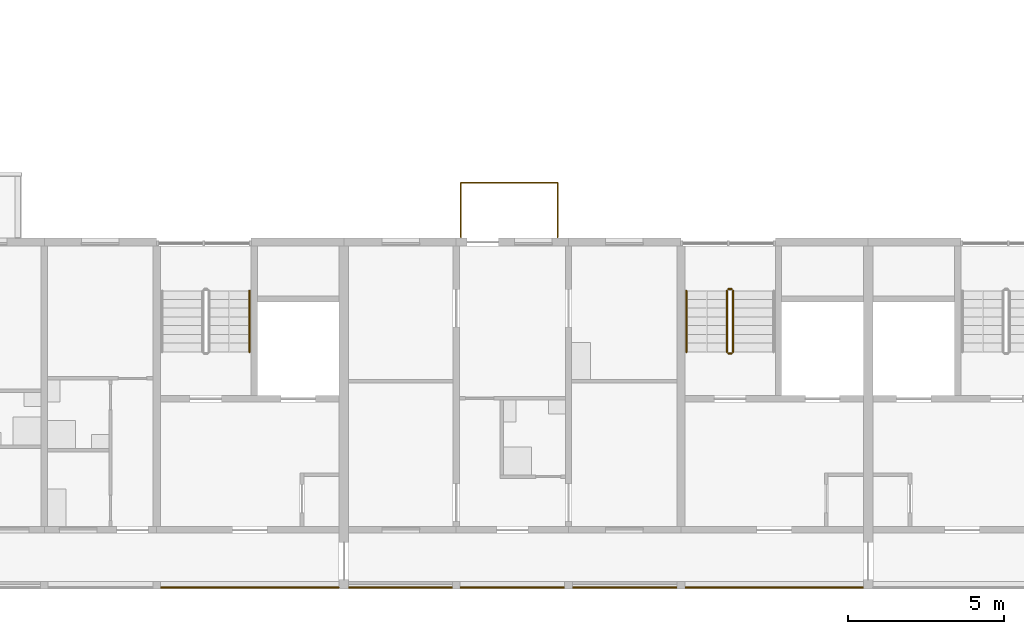
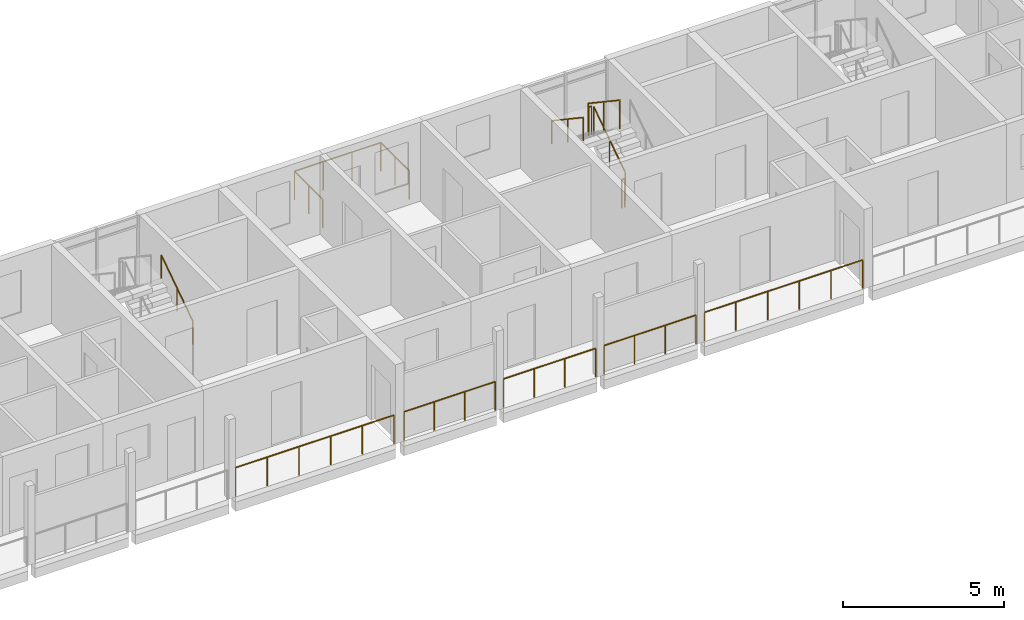
# One storey, part 79 of 94: 12 railings.
"""IFC4 building model written with IfcOpenShell, lengths in metres."""

from ifc_helpers import new_model, si_unit, direction, frame, origin, origin_2d, place, context, subcontext, project, spatial, circle, extrude, material, type_object, element, save


model = new_model("IFC4")

# Units and contexts
model_context = context("Model", 3, precision=1e-05, world=origin(), true_north=direction((0.0, 1.0)))
body_context = subcontext(model_context, "Body", "Model", "MODEL_VIEW")
ifc_project = project(units=[si_unit("LENGTHUNIT", "METRE"), si_unit("AREAUNIT", "SQUARE_METRE"), si_unit("VOLUMEUNIT", "CUBIC_METRE"), si_unit("PLANEANGLEUNIT", "RADIAN"), si_unit("MASSUNIT", "GRAM", prefix="KILO")], contexts=[model_context])

# Site, building, storey
site_placement = place(None, origin())
site = spatial("IfcSite", under=ifc_project, at=site_placement, CompositionType="ELEMENT")
building_placement = place(site_placement, origin())
building = spatial("IfcBuilding", under=site, at=building_placement, Name="Ridgestep Commons", CompositionType="ELEMENT")
storey_placement = place(building_placement, frame((0.0, 0.0, 24.0)))
storey = spatial("IfcBuildingStorey", under=building, at=storey_placement, Name="L08", CompositionType="ELEMENT", Elevation=24.0)

# Railings
ifc_material_1 = material(Name="Structural steel S355JR", Category="steel")
railing_type_1 = type_object("IfcRailingType", Name="Guard 1100", PredefinedType="GUARDRAIL", material=ifc_material_1)
railing_1_placement = place(storey_placement, frame((73.345947265625, 11.800048828125, 0.0)))
element("IfcRailing", 1, at=railing_1_placement, inside=storey, type_object=railing_type_1, Name="Gallery guard A 08.16", PredefinedType="GUARDRAIL", context=body_context, shape_type="SweptSolid", body=[
    extrude(circle(Radius=0.02392578125, at=origin_2d()), frame((0.0, 0.0, 1.076171875), z_axis=(1.0, 0.0, 0.0), x_axis=(0.0, 1.0, 0.0)), (0.0, 0.0, 1.0), 5.68310546875),
    extrude(circle(Radius=0.02099609375, at=origin_2d()), origin(), (0.0, 0.0, 1.0), 1.052001953125),
    extrude(circle(Radius=0.02099609375, at=origin_2d()), frame((1.13671875, 0.0, 0.0)), (0.0, 0.0, 1.0), 1.052001953125),
    extrude(circle(Radius=0.02099609375, at=origin_2d()), frame((2.273193359375, 0.0, 0.0)), (0.0, 0.0, 1.0), 1.052001953125),
    extrude(circle(Radius=0.02099609375, at=origin_2d()), frame((3.409912109375, 0.0, 0.0)), (0.0, 0.0, 1.0), 1.052001953125),
    extrude(circle(Radius=0.02099609375, at=origin_2d()), frame((4.54638671875, 0.0, 0.0)), (0.0, 0.0, 1.0), 1.052001953125),
    extrude(circle(Radius=0.02099609375, at=origin_2d()), frame((5.68310546875, 0.0, 0.0)), (0.0, 0.0, 1.0), 1.052001953125),
])
railing_2_placement = place(storey_placement, frame((79.37109375, 11.800048828125, 0.0)))
element("IfcRailing", 2, at=railing_2_placement, inside=storey, type_object=railing_type_1, Name="Gallery guard A 08.17", PredefinedType="GUARDRAIL", context=body_context, shape_type="SweptSolid", body=[
    extrude(circle(Radius=0.02392578125, at=origin_2d()), frame((0.0, 0.0, 1.076171875), z_axis=(1.0, 0.0, 0.0), x_axis=(0.0, 1.0, 0.0)), (0.0, 0.0, 1.0), 3.282958984375),
    extrude(circle(Radius=0.02099609375, at=origin_2d()), origin(), (0.0, 0.0, 1.0), 1.052001953125),
    extrude(circle(Radius=0.02099609375, at=origin_2d()), frame((1.09423828125, 0.0, 0.0)), (0.0, 0.0, 1.0), 1.052001953125),
    extrude(circle(Radius=0.02099609375, at=origin_2d()), frame((2.188720703125, 0.0, 0.0)), (0.0, 0.0, 1.0), 1.052001953125),
    extrude(circle(Radius=0.02099609375, at=origin_2d()), frame((3.282958984375, 0.0, 0.0)), (0.0, 0.0, 1.0), 1.052001953125),
])
railing_3_placement = place(storey_placement, frame((82.946044921875, 11.800048828125, 0.0)))
element("IfcRailing", 3, at=railing_3_placement, inside=storey, type_object=railing_type_1, Name="Gallery guard A 08.18", PredefinedType="GUARDRAIL", context=body_context, shape_type="SweptSolid", body=[
    extrude(circle(Radius=0.02392578125, at=origin_2d()), frame((0.0, 0.0, 1.076171875), z_axis=(1.0, 0.0, 0.0), x_axis=(0.0, 1.0, 0.0)), (0.0, 0.0, 1.0), 3.307861328125),
    extrude(circle(Radius=0.02099609375, at=origin_2d()), origin(), (0.0, 0.0, 1.0), 1.052001953125),
    extrude(circle(Radius=0.02099609375, at=origin_2d()), frame((1.1025390625, 0.0, 0.0)), (0.0, 0.0, 1.0), 1.052001953125),
    extrude(circle(Radius=0.02099609375, at=origin_2d()), frame((2.205322265625, 0.0, 0.0)), (0.0, 0.0, 1.0), 1.052001953125),
    extrude(circle(Radius=0.02099609375, at=origin_2d()), frame((3.307861328125, 0.0, 0.0)), (0.0, 0.0, 1.0), 1.052001953125),
])
railing_4_placement = place(storey_placement, frame((86.5458984375, 11.800048828125, 0.0)))
element("IfcRailing", 4, at=railing_4_placement, inside=storey, type_object=railing_type_1, Name="Gallery guard A 08.19", PredefinedType="GUARDRAIL", context=body_context, shape_type="SweptSolid", body=[
    extrude(circle(Radius=0.02392578125, at=origin_2d()), frame((0.0, 0.0, 1.076171875), z_axis=(1.0, 0.0, 0.0), x_axis=(0.0, 1.0, 0.0)), (0.0, 0.0, 1.0), 3.30810546875),
    extrude(circle(Radius=0.02099609375, at=origin_2d()), origin(), (0.0, 0.0, 1.0), 1.052001953125),
    extrude(circle(Radius=0.02099609375, at=origin_2d()), frame((1.102783203125, 0.0, 0.0)), (0.0, 0.0, 1.0), 1.052001953125),
    extrude(circle(Radius=0.02099609375, at=origin_2d()), frame((2.205322265625, 0.0, 0.0)), (0.0, 0.0, 1.0), 1.052001953125),
    extrude(circle(Radius=0.02099609375, at=origin_2d()), frame((3.30810546875, 0.0, 0.0)), (0.0, 0.0, 1.0), 1.052001953125),
])
railing_5_placement = place(storey_placement, frame((90.14599609375, 11.800048828125, 0.0)))
element("IfcRailing", 5, at=railing_5_placement, inside=storey, type_object=railing_type_1, Name="Gallery guard A 08.20", PredefinedType="GUARDRAIL", context=body_context, shape_type="SweptSolid", body=[
    extrude(circle(Radius=0.02392578125, at=origin_2d()), frame((0.0, 0.0, 1.076171875), z_axis=(1.0, 0.0, 0.0), x_axis=(0.0, 1.0, 0.0)), (0.0, 0.0, 1.0), 5.68310546875),
    extrude(circle(Radius=0.02099609375, at=origin_2d()), origin(), (0.0, 0.0, 1.0), 1.052001953125),
    extrude(circle(Radius=0.02099609375, at=origin_2d()), frame((1.13671875, 0.0, 0.0)), (0.0, 0.0, 1.0), 1.052001953125),
    extrude(circle(Radius=0.02099609375, at=origin_2d()), frame((2.273193359375, 0.0, 0.0)), (0.0, 0.0, 1.0), 1.052001953125),
    extrude(circle(Radius=0.02099609375, at=origin_2d()), frame((3.409912109375, 0.0, 0.0)), (0.0, 0.0, 1.0), 1.052001953125),
    extrude(circle(Radius=0.02099609375, at=origin_2d()), frame((4.54638671875, 0.0, 0.0)), (0.0, 0.0, 1.0), 1.052001953125),
    extrude(circle(Radius=0.02099609375, at=origin_2d()), frame((5.68310546875, 0.0, 0.0)), (0.0, 0.0, 1.0), 1.052001953125),
])
ifc_material_2 = material(Name="Structural steel S355JR", Category="steel")
railing_type_2 = type_object("IfcRailingType", Name="Stair guard 1100", PredefinedType="GUARDRAIL", material=ifc_material_2)
railing_6_placement = place(storey_placement, frame((91.675048828125, 19.35009765625, 0.1875)))
element("IfcRailing", 6, at=railing_6_placement, inside=storey, type_object=railing_type_2, Name="L08 A5C stair guard 1", PredefinedType="GUARDRAIL", context=body_context, shape_type="SweptSolid", body=[
    extrude(circle(Radius=0.02392578125, at=origin_2d()), frame((0.0, 0.0, 1.076171875), z_axis=(0.0, 0.830902050051, 0.556418712142), x_axis=(-1.0, 0.0, 0.0)), (0.0, 0.0, 1.0), 2.35888671875),
    extrude(circle(Radius=0.02099609375, at=origin_2d()), origin(), (0.0, 0.0, 1.0), 1.052001953125),
    extrude(circle(Radius=0.02099609375, at=origin_2d()), frame((0.0, 0.97998046875, 0.65625)), (0.0, 0.0, 1.0), 1.052001953125),
    extrude(circle(Radius=0.02099609375, at=origin_2d()), frame((0.0, 1.9599609375, 1.3125)), (0.0, 0.0, 1.0), 1.052001953125),
])
railing_7_placement = place(storey_placement, frame((91.625, 21.360107421875, 1.5)))
element("IfcRailing", 7, at=railing_7_placement, inside=storey, type_object=railing_type_2, Name="L08 A5C stair guard 2", PredefinedType="GUARDRAIL", context=body_context, shape_type="SweptSolid", body=[
    extrude(circle(Radius=0.02392578125, at=origin_2d()), frame((0.0, 0.0, 1.076171875), z_axis=(-1.0, 0.0, 0.0), x_axis=(0.0, -1.0, 0.0)), (0.0, 0.0, 1.0), 0.10009765625),
    extrude(circle(Radius=0.02099609375, at=origin_2d()), origin(), (0.0, 0.0, 1.0), 1.052001953125),
    extrude(circle(Radius=0.02099609375, at=origin_2d()), frame((-0.10009765625, 0.0, 0.0)), (0.0, 0.0, 1.0), 1.052001953125),
])
railing_8_placement = place(storey_placement, frame((91.47509765625, 21.31005859375, 1.6875)))
element("IfcRailing", 8, at=railing_8_placement, inside=storey, type_object=railing_type_2, Name="L08 A5C stair guard 3", PredefinedType="GUARDRAIL", context=body_context, shape_type="SweptSolid", body=[
    extrude(circle(Radius=0.02392578125, at=origin_2d()), frame((0.0, 0.0, 1.076171875), z_axis=(0.0, -0.830902050051, 0.556418712142), x_axis=(1.0, 0.0, 0.0)), (0.0, 0.0, 1.0), 2.35888671875),
    extrude(circle(Radius=0.02099609375, at=origin_2d()), origin(), (0.0, 0.0, 1.0), 1.052001953125),
    extrude(circle(Radius=0.02099609375, at=origin_2d()), frame((0.0, -0.97998046875, 0.65625)), (0.0, 0.0, 1.0), 1.052001953125),
    extrude(circle(Radius=0.02099609375, at=origin_2d()), frame((0.0, -1.9599609375, 1.3125)), (0.0, 0.0, 1.0), 1.052001953125),
])
railing_9_placement = place(storey_placement, frame((91.625, 19.300048828125, 0.0)))
element("IfcRailing", 9, at=railing_9_placement, inside=storey, type_object=railing_type_2, Name="L08 A5C stair guard 4", PredefinedType="GUARDRAIL", context=body_context, shape_type="SweptSolid", body=[
    extrude(circle(Radius=0.02392578125, at=origin_2d()), frame((0.0, 0.0, 1.076171875), z_axis=(-1.0, 0.0, 0.0), x_axis=(0.0, -1.0, 0.0)), (0.0, 0.0, 1.0), 0.10009765625),
    extrude(circle(Radius=0.02099609375, at=origin_2d()), origin(), (0.0, 0.0, 1.0), 1.052001953125),
    extrude(circle(Radius=0.02099609375, at=origin_2d()), frame((-0.10009765625, 0.0, 0.0)), (0.0, 0.0, 1.0), 1.052001953125),
])
ifc_material_3 = material(Name="Structural steel S355JR", Category="steel")
railing_type_3 = type_object("IfcRailingType", Name="Stair handrail 900", PredefinedType="HANDRAIL", material=ifc_material_3)
railing_10_placement = place(storey_placement, frame((76.175048828125, 19.35009765625, 0.1875)))
element("IfcRailing", 10, at=railing_10_placement, inside=storey, type_object=railing_type_3, Name="L08 A4C stair handrail 1", PredefinedType="HANDRAIL", context=body_context, shape_type="SweptSolid", body=[
    extrude(circle(Radius=0.02392578125, at=origin_2d()), frame((0.0, 0.0, 0.8759765625), z_axis=(0.0, 0.830902050051, 0.556418712142), x_axis=(-1.0, 0.0, 0.0)), (0.0, 0.0, 1.0), 2.35888671875),
    extrude(circle(Radius=0.02099609375, at=origin_2d()), origin(), (0.0, 0.0, 1.0), 0.851806640625),
    extrude(circle(Radius=0.02099609375, at=origin_2d()), frame((0.0, 0.97998046875, 0.65625)), (0.0, 0.0, 1.0), 0.851806640625),
    extrude(circle(Radius=0.02099609375, at=origin_2d()), frame((0.0, 1.9599609375, 1.3125)), (0.0, 0.0, 1.0), 0.851806640625),
])
railing_11_placement = place(storey_placement, frame((90.175048828125, 21.31005859375, 1.6875)))
element("IfcRailing", 11, at=railing_11_placement, inside=storey, type_object=railing_type_3, Name="L08 A5C stair handrail 2", PredefinedType="HANDRAIL", context=body_context, shape_type="SweptSolid", body=[
    extrude(circle(Radius=0.02392578125, at=origin_2d()), frame((0.0, 0.0, 0.8759765625), z_axis=(0.0, -0.830902050051, 0.556418712142), x_axis=(1.0, 0.0, 0.0)), (0.0, 0.0, 1.0), 2.35888671875),
    extrude(circle(Radius=0.02099609375, at=origin_2d()), origin(), (0.0, 0.0, 1.0), 0.851806640625),
    extrude(circle(Radius=0.02099609375, at=origin_2d()), frame((0.0, -0.97998046875, 0.65625)), (0.0, 0.0, 1.0), 0.851806640625),
    extrude(circle(Radius=0.02099609375, at=origin_2d()), frame((0.0, -1.9599609375, 1.3125)), (0.0, 0.0, 1.0), 0.851806640625),
])
ifc_material_4 = material(Name="Weathering steel S355J2W", Category="steel")
railing_type_4 = type_object("IfcRailingType", Name="Tray guard 1100", PredefinedType="GUARDRAIL", material=ifc_material_4)
railing_12_placement = place(storey_placement, frame((82.950927734375, 23.02099609375, 0.0)))
element("IfcRailing", 12, at=railing_12_placement, inside=storey, type_object=railing_type_4, Name="Tray guard A5T2-08", PredefinedType="GUARDRAIL", context=body_context, shape_type="SweptSolid", body=[
    extrude(circle(Radius=0.02392578125, at=origin_2d()), frame((0.0, 0.0, 1.076171875), z_axis=(0.0, 1.0, 0.0), x_axis=(-1.0, 0.0, 0.0)), (0.0, 0.0, 1.0), 1.758056640625),
    extrude(circle(Radius=0.02392578125, at=origin_2d()), frame((0.0, 1.758056640625, 1.076171875), z_axis=(1.0, 0.0, 0.0), x_axis=(0.0, 1.0, 0.0)), (0.0, 0.0, 1.0), 3.09814453125),
    extrude(circle(Radius=0.02392578125, at=origin_2d()), frame((3.09814453125, 1.758056640625, 1.076171875), z_axis=(0.0, -1.0, 0.0), x_axis=(1.0, 0.0, 0.0)), (0.0, 0.0, 1.0), 1.758056640625),
    extrude(circle(Radius=0.02099609375, at=origin_2d()), origin(), (0.0, 0.0, 1.0), 1.052001953125),
    extrude(circle(Radius=0.02099609375, at=origin_2d()), frame((0.0, 0.87890625, 0.0)), (0.0, 0.0, 1.0), 1.052001953125),
    extrude(circle(Radius=0.02099609375, at=origin_2d()), frame((0.0, 1.758056640625, 0.0)), (0.0, 0.0, 1.0), 1.052001953125),
    extrude(circle(Radius=0.02099609375, at=origin_2d()), frame((1.03271484375, 1.758056640625, 0.0)), (0.0, 0.0, 1.0), 1.052001953125),
    extrude(circle(Radius=0.02099609375, at=origin_2d()), frame((2.0654296875, 1.758056640625, 0.0)), (0.0, 0.0, 1.0), 1.052001953125),
    extrude(circle(Radius=0.02099609375, at=origin_2d()), frame((3.09814453125, 1.758056640625, 0.0)), (0.0, 0.0, 1.0), 1.052001953125),
    extrude(circle(Radius=0.02099609375, at=origin_2d()), frame((3.09814453125, 0.87890625, 0.0)), (0.0, 0.0, 1.0), 1.052001953125),
    extrude(circle(Radius=0.02099609375, at=origin_2d()), frame((3.09814453125, 0.0, 0.0)), (0.0, 0.0, 1.0), 1.052001953125),
])

save(model, "model.ifc")
